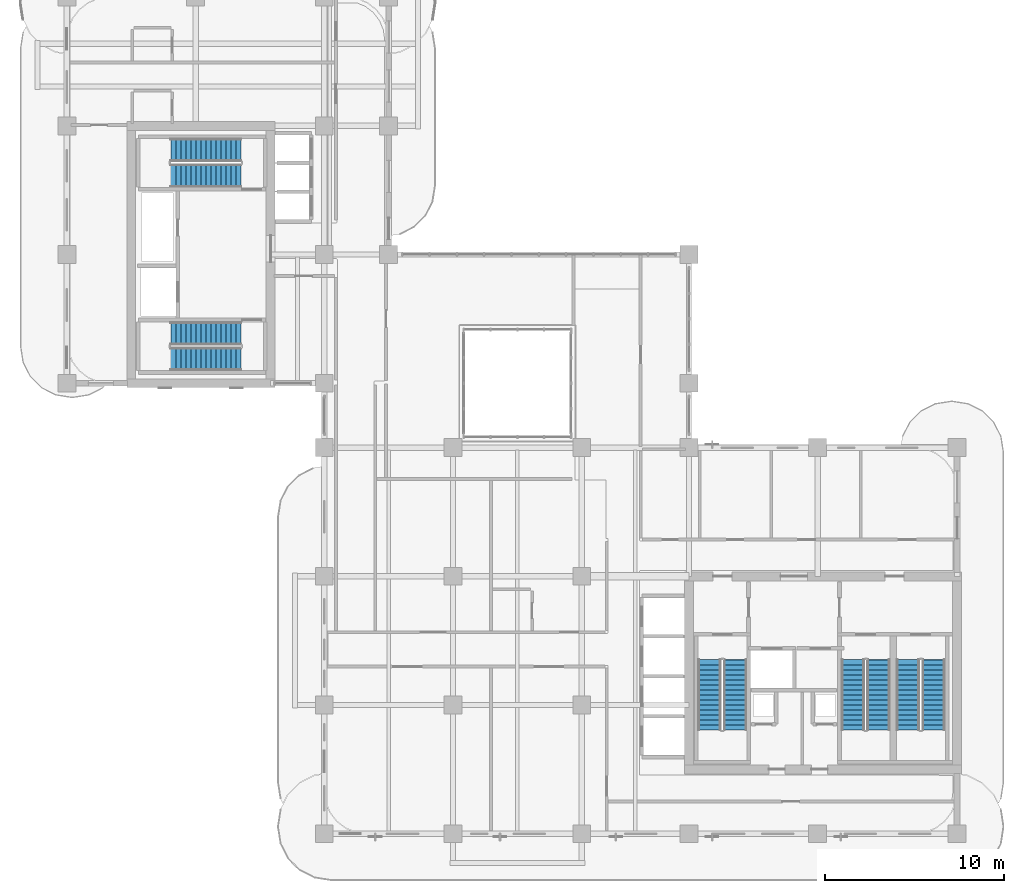
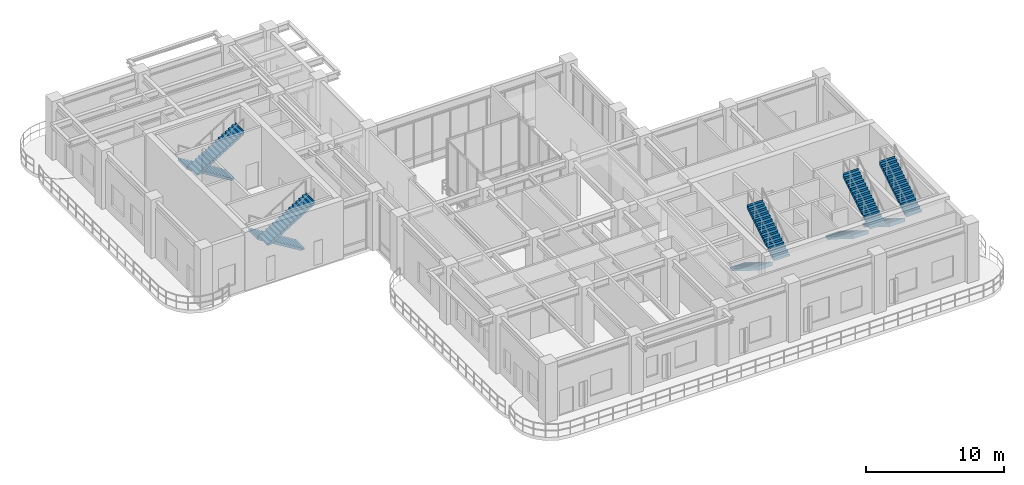
# One storey, part 16 of 21: 10 stair flights, 5 elements without a shape of their own.
"""IFC4 building model written with IfcOpenShell, lengths in metres."""

from ifc_helpers import new_model, si_unit, derived_unit, direction, frame, origin, place, context, subcontext, project, spatial, polyline, outline, extrude, source, transform, mapped, material, layer, layer_set, type_object, element, aggregate, save


model = new_model("IFC4")

# Units and contexts
model_context = context("Model", 3, precision=1e-05, world=origin(), true_north=direction((0.0, 1.0)))
body_context = subcontext(model_context, "Body", "Model", "MODEL_VIEW")
ifc_project = project(units=[si_unit("LENGTHUNIT", "METRE"), si_unit("AREAUNIT", "SQUARE_METRE"), si_unit("VOLUMEUNIT", "CUBIC_METRE"), si_unit("PLANEANGLEUNIT", "RADIAN"), si_unit("MASSUNIT", "GRAM", prefix="KILO"), si_unit("THERMODYNAMICTEMPERATUREUNIT", "KELVIN"), si_unit("POWERUNIT", "WATT"), derived_unit("THERMALTRANSMITTANCEUNIT", [(si_unit("POWERUNIT", "WATT"), 1), (si_unit("AREAUNIT", "SQUARE_METRE"), -1), (si_unit("THERMODYNAMICTEMPERATUREUNIT", "KELVIN"), -1)])], contexts=[model_context])

# Site, building, storey
site_placement = place(None, origin())
site = spatial("IfcSite", under=ifc_project, at=site_placement, CompositionType="ELEMENT")
building_placement = place(site_placement, origin())
building = spatial("IfcBuilding", under=site, at=building_placement, Name="Zahravan Archway Hotel and Residences", CompositionType="ELEMENT")
storey_placement = place(building_placement, frame((0.0, 0.0, 145.10009765625)))
storey = spatial("IfcBuildingStorey", under=building, at=storey_placement, Name="L36", CompositionType="ELEMENT", Elevation=145.10009765625)

# Stair, stair flights
ifc_material = material(Name="Concrete C50/60", Category="concrete")
stair_type = type_object("IfcStairType", Name="STR-CORE-1300", PredefinedType="HALF_TURN_STAIR", material=ifc_material)
stair_1_placement = place(storey_placement, origin())
stair_1 = element("IfcStair", 1, at=stair_1_placement, inside=storey, type_object=stair_type, Name="L36 Core A Exit Stair 1", PredefinedType="HALF_TURN_STAIR")
ifc_layer = layer(ifc_material, 0.199951171875, Name="Concrete C50/60", Category="concrete")
ifc_layer_set = layer_set([ifc_layer], Name="Concrete C50/60")
stair_flight_type = type_object("IfcStairFlightType", Name="SFL-CORE-1300", PredefinedType="STRAIGHT", material=ifc_layer_set)
shared_shape = source(origin(), body_context, "Body", "SweptSolid", [
    extrude(outline(polyline([(-0.01611328125, 0.0), (-0.01611328125, 0.17333984375), (0.280029296875, 0.17333984375), (0.280029296875, 0.3466796875), (0.56005859375, 0.3466796875), (0.56005859375, 0.52001953125), (0.840087890625, 0.52001953125), (0.840087890625, 0.693359375), (1.1201171875, 0.693359375), (1.1201171875, 0.86669921875), (1.39990234375, 0.86669921875), (1.39990234375, 1.0400390625), (1.679931640625, 1.0400390625), (1.679931640625, 1.21337890625), (1.9599609375, 1.21337890625), (1.9599609375, 1.38671875), (2.239990234375, 1.38671875), (2.239990234375, 1.56005859375), (2.52001953125, 1.56005859375), (2.52001953125, 1.7333984375), (2.800048828125, 1.7333984375), (2.800048828125, 1.90673828125), (3.080078125, 1.90673828125), (3.080078125, 2.080078125), (3.360107421875, 2.080078125), (3.360107421875, 2.25341796875), (3.639892578125, 2.25341796875), (3.639892578125, 2.4267578125), (3.919921875, 2.4267578125), (3.919921875, 2.60009765625), (3.93603515625, 2.60009765625), (3.93603515625, 2.250244140625), (0.284912109375, 0.0), (-0.01611328125, 0.0)])), frame((0.0, 0.64990234375, 0.0), z_axis=(0.0, -1.0, 0.0), x_axis=(1.0, 0.0, 0.0)), (0.0, 0.0, 1.0), 1.300048828125),
])
stair_flight_1_placement = place(storey_placement, frame((35.949951171875, 9.72998046875, 0.0), z_axis=(0.0, 0.0, 1.0), x_axis=(0.0, -1.0, 0.0)))
stair_flight_1 = element("IfcStairFlight", 2, at=stair_flight_1_placement, type_object=stair_flight_type, Name="ST-A1 flight 1", NumberOfRisers=15, NumberOfTreads=14, PredefinedType="STRAIGHT", RiserHeight=0.173333333, TreadLength=0.28, context=body_context, shape_type="MappedRepresentation", body=[
    mapped(shared_shape, transform((0.0, 0.0, 0.0), scale=1.0)),
])
stair_flight_2_placement = place(storey_placement, frame((37.389892578125, 5.81005859375, 2.599853515625), z_axis=(0.0, 0.0, 1.0), x_axis=(0.0, 1.0, 0.0)))
stair_flight_2 = element("IfcStairFlight", 3, at=stair_flight_2_placement, type_object=stair_flight_type, Name="ST-A1 flight 2", NumberOfRisers=15, NumberOfTreads=14, PredefinedType="STRAIGHT", RiserHeight=0.173333333, TreadLength=0.28, context=body_context, shape_type="MappedRepresentation", body=[
    mapped(shared_shape, transform((0.0, 0.0, 0.0), scale=1.0)),
])
aggregate(stair_1, [stair_flight_1, stair_flight_2])

stair_2_placement = place(storey_placement, origin())
stair_2 = element("IfcStair", 4, at=stair_2_placement, inside=storey, type_object=stair_type, Name="L36 Core A Exit Stair 2", PredefinedType="HALF_TURN_STAIR")
stair_flight_3_placement = place(storey_placement, frame((43.969970703125, 9.72998046875, 0.0), z_axis=(0.0, 0.0, 1.0), x_axis=(0.0, -1.0, 0.0)))
stair_flight_3 = element("IfcStairFlight", 5, at=stair_flight_3_placement, type_object=stair_flight_type, Name="ST-A2 flight 1", NumberOfRisers=15, NumberOfTreads=14, PredefinedType="STRAIGHT", RiserHeight=0.173333333, TreadLength=0.28, context=body_context, shape_type="MappedRepresentation", body=[
    mapped(shared_shape, transform((0.0, 0.0, 0.0), scale=1.0)),
])
stair_flight_4_placement = place(storey_placement, frame((45.409912109375, 5.81005859375, 2.599853515625), z_axis=(0.0, 0.0, 1.0), x_axis=(0.0, 1.0, 0.0)))
stair_flight_4 = element("IfcStairFlight", 6, at=stair_flight_4_placement, type_object=stair_flight_type, Name="ST-A2 flight 2", NumberOfRisers=15, NumberOfTreads=14, PredefinedType="STRAIGHT", RiserHeight=0.173333333, TreadLength=0.28, context=body_context, shape_type="MappedRepresentation", body=[
    mapped(shared_shape, transform((0.0, 0.0, 0.0), scale=1.0)),
])
aggregate(stair_2, [stair_flight_3, stair_flight_4])

stair_3_placement = place(storey_placement, origin())
stair_3 = element("IfcStair", 7, at=stair_3_placement, inside=storey, type_object=stair_type, Name="L36 Core A Exit Stair 3", PredefinedType="HALF_TURN_STAIR")
stair_flight_5_placement = place(storey_placement, frame((47.050048828125, 9.72998046875, 0.0), z_axis=(0.0, 0.0, 1.0), x_axis=(0.0, -1.0, 0.0)))
stair_flight_5 = element("IfcStairFlight", 8, at=stair_flight_5_placement, type_object=stair_flight_type, Name="ST-A3 flight 1", NumberOfRisers=15, NumberOfTreads=14, PredefinedType="STRAIGHT", RiserHeight=0.173333333, TreadLength=0.28, context=body_context, shape_type="MappedRepresentation", body=[
    mapped(shared_shape, transform((0.0, 0.0, 0.0), scale=1.0)),
])
stair_flight_6_placement = place(storey_placement, frame((48.489990234375, 5.81005859375, 2.599853515625), z_axis=(0.0, 0.0, 1.0), x_axis=(0.0, 1.0, 0.0)))
stair_flight_6 = element("IfcStairFlight", 9, at=stair_flight_6_placement, type_object=stair_flight_type, Name="ST-A3 flight 2", NumberOfRisers=15, NumberOfTreads=14, PredefinedType="STRAIGHT", RiserHeight=0.173333333, TreadLength=0.28, context=body_context, shape_type="MappedRepresentation", body=[
    mapped(shared_shape, transform((0.0, 0.0, 0.0), scale=1.0)),
])
aggregate(stair_3, [stair_flight_5, stair_flight_6])

stair_4_placement = place(storey_placement, origin())
stair_4 = element("IfcStair", 10, at=stair_4_placement, inside=storey, type_object=stair_type, Name="L36 Core B Exit Stair 1", PredefinedType="HALF_TURN_STAIR")
stair_flight_7_placement = place(storey_placement, frame((9.72998046875, 27.989990234375, 0.0), z_axis=(0.0, 0.0, 1.0), x_axis=(-1.0, 0.0, 0.0)))
stair_flight_7 = element("IfcStairFlight", 11, at=stair_flight_7_placement, type_object=stair_flight_type, Name="ST-B1 flight 1", NumberOfRisers=15, NumberOfTreads=14, PredefinedType="STRAIGHT", RiserHeight=0.173333333, TreadLength=0.28, context=body_context, shape_type="MappedRepresentation", body=[
    mapped(shared_shape, transform((0.0, 0.0, 0.0), scale=1.0)),
])
stair_flight_8_placement = place(storey_placement, frame((5.81005859375, 26.550048828125, 2.599853515625), z_axis=(0.0, 0.0, 1.0), x_axis=(1.0, 0.0, 0.0)))
stair_flight_8 = element("IfcStairFlight", 12, at=stair_flight_8_placement, type_object=stair_flight_type, Name="ST-B1 flight 2", NumberOfRisers=15, NumberOfTreads=14, PredefinedType="STRAIGHT", RiserHeight=0.173333333, TreadLength=0.28, context=body_context, shape_type="MappedRepresentation", body=[
    mapped(shared_shape, transform((0.0, 0.0, 0.0), scale=1.0)),
])
aggregate(stair_4, [stair_flight_7, stair_flight_8])

stair_5_placement = place(storey_placement, origin())
stair_5 = element("IfcStair", 13, at=stair_5_placement, inside=storey, type_object=stair_type, Name="L36 Core B Exit Stair 2", PredefinedType="HALF_TURN_STAIR")
stair_flight_9_placement = place(storey_placement, frame((9.72998046875, 38.25, 0.0), z_axis=(0.0, 0.0, 1.0), x_axis=(-1.0, 0.0, 0.0)))
stair_flight_9 = element("IfcStairFlight", 14, at=stair_flight_9_placement, type_object=stair_flight_type, Name="ST-B2 flight 1", NumberOfRisers=15, NumberOfTreads=14, PredefinedType="STRAIGHT", RiserHeight=0.173333333, TreadLength=0.28, context=body_context, shape_type="MappedRepresentation", body=[
    mapped(shared_shape, transform((0.0, 0.0, 0.0), scale=1.0)),
])
stair_flight_10_placement = place(storey_placement, frame((5.81005859375, 36.81005859375, 2.599853515625), z_axis=(0.0, 0.0, 1.0), x_axis=(1.0, 0.0, 0.0)))
stair_flight_10 = element("IfcStairFlight", 15, at=stair_flight_10_placement, type_object=stair_flight_type, Name="ST-B2 flight 2", NumberOfRisers=15, NumberOfTreads=14, PredefinedType="STRAIGHT", RiserHeight=0.173333333, TreadLength=0.28, context=body_context, shape_type="MappedRepresentation", body=[
    mapped(shared_shape, transform((0.0, 0.0, 0.0), scale=1.0)),
])
aggregate(stair_5, [stair_flight_9, stair_flight_10])

save(model, "model.ifc")
